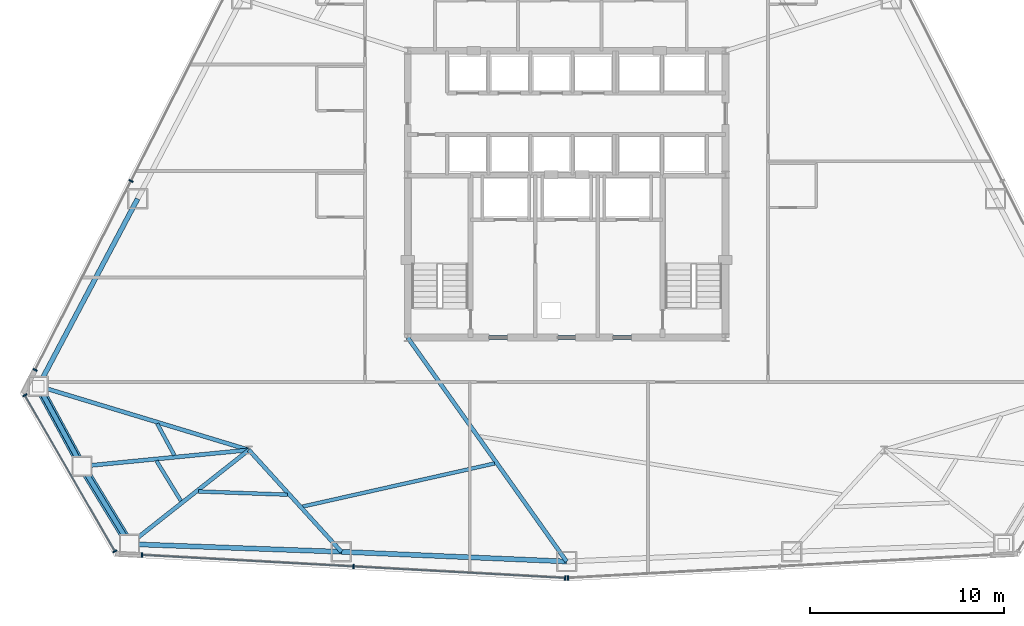
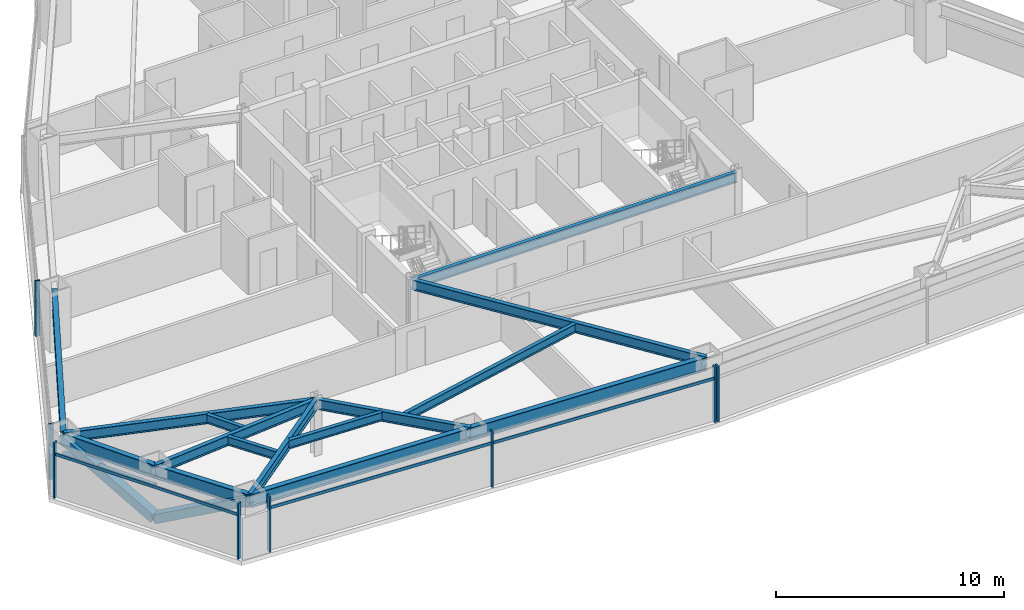
# One storey, part 4 of 12: 15 beams, 13 members, 4 elements without a shape of their own.
"""IFC4 building model written with IfcOpenShell, lengths in metres."""

from ifc_helpers import new_model, si_unit, direction, frame, origin, origin_2d, place, context, subcontext, project, spatial, rectangle, hollow_rectangle, hollow_circle, i_section, extrude, source, transform, mapped, material, layer, layer_set, material_profile, profile_set, type_object, type_shapes, element, aggregate, save


model = new_model("IFC4")

# Units and contexts
model_context = context("Model", 3, precision=1e-05, world=origin(), true_north=direction((0.0, 1.0)))
body_context = subcontext(model_context, "Body", "Model", "MODEL_VIEW")
ifc_project = project(units=[si_unit("LENGTHUNIT", "METRE"), si_unit("AREAUNIT", "SQUARE_METRE"), si_unit("VOLUMEUNIT", "CUBIC_METRE"), si_unit("PLANEANGLEUNIT", "RADIAN"), si_unit("MASSUNIT", "GRAM", prefix="KILO")], contexts=[model_context])

# Site, building, storey
site_placement = place(None, origin())
site = spatial("IfcSite", under=ifc_project, at=site_placement, CompositionType="ELEMENT")
building_placement = place(site_placement, origin())
building = spatial("IfcBuilding", under=site, at=building_placement, Name="Varakhsha Concourse Tower", CompositionType="ELEMENT")
storey_placement = place(building_placement, frame((0.0, 0.0, 76.60009765625)))
storey = spatial("IfcBuildingStorey", under=building, at=storey_placement, Name="L21", CompositionType="ELEMENT", Elevation=76.60009765625)

# Beams
ifc_material_1 = material(Name="Structural Steel ASTM A992 Grade 50", Category="steel")
ifc_material_profile_1 = material_profile(ifc_material_1, i_section(OverallWidth=0.19091796875, OverallDepth=0.45703125, WebThickness=0.009033203125, FlangeThickness=0.013916015625, at=origin_2d()), Name="W18X50")
ifc_profile_set_1 = profile_set([ifc_material_profile_1], Name="Structural Steel ASTM A992 Grade 50")
beam_type_1 = type_object("IfcBeamType", Name="BM-JST-W18X50", PredefinedType="JOIST", material=ifc_profile_set_1)
beam_1_placement = place(storey_placement, frame((18.872314453125, 11.953369140625, 2.741455078125), z_axis=(0.47804852113, -0.8783334284, 0.0), x_axis=(0.8783334284, 0.47804852113, 0.0)))
element("IfcBeam", 1, at=beam_1_placement, inside=storey, type_object=beam_type_1, Name="BM-TJST-L21-07", PredefinedType="JOIST", context=body_context, shape_type="SweptSolid", body=[
    extrude(i_section(OverallWidth=0.19091796875, OverallDepth=0.45703125, WebThickness=0.009033203125, FlangeThickness=0.013916015625, at=origin_2d()), origin(), (0.0, 0.0, 1.0), 1.852294921875),
])
beam_2_placement = place(storey_placement, frame((18.834228515625, 10.03515625, 2.741455078125), z_axis=(0.521666519138, -0.853149484446, 0.0), x_axis=(0.853149484446, 0.521666519138, 0.0)))
element("IfcBeam", 2, at=beam_2_placement, inside=storey, type_object=beam_type_1, Name="BM-TJST-L21-08", PredefinedType="JOIST", context=body_context, shape_type="SweptSolid", body=[
    extrude(i_section(OverallWidth=0.19091796875, OverallDepth=0.45703125, WebThickness=0.009033203125, FlangeThickness=0.013916015625, at=origin_2d()), origin(), (0.0, 0.0, 1.0), 2.417236328125),
])
beam_3_placement = place(storey_placement, frame((21.001220703125, 8.4580078125, 2.741455078125), z_axis=(0.999343002196, -0.036243122972, 0.0), x_axis=(0.036243122972, 0.999343002196, 0.0)))
element("IfcBeam", 3, at=beam_3_placement, inside=storey, type_object=beam_type_1, Name="BM-TJST-L21-09", PredefinedType="JOIST", context=body_context, shape_type="SweptSolid", body=[
    extrude(i_section(OverallWidth=0.19091796875, OverallDepth=0.45703125, WebThickness=0.009033203125, FlangeThickness=0.013916015625, at=origin_2d()), origin(), (0.0, 0.0, 1.0), 4.593994140625),
])
beam_4_placement = place(storey_placement, frame((26.383056640625, 7.68115234375, 2.741455078125), z_axis=(0.97570922124, 0.219069659211, 0.0), x_axis=(-0.219069659211, 0.97570922124, 0.0)))
element("IfcBeam", 4, at=beam_4_placement, inside=storey, type_object=beam_type_1, Name="BM-TJST-L21-10", PredefinedType="JOIST", context=body_context, shape_type="SweptSolid", body=[
    extrude(i_section(OverallWidth=0.19091796875, OverallDepth=0.45703125, WebThickness=0.009033203125, FlangeThickness=0.013916015625, at=origin_2d()), origin(), (0.0, 0.0, 1.0), 10.148193359375),
])
ifc_material_profile_2 = material_profile(ifc_material_1, i_section(OverallWidth=0.2109375, OverallDepth=0.5390625, WebThickness=0.011962890625, FlangeThickness=0.01904296875, at=origin_2d()), Name="W21X73")
ifc_profile_set_2 = profile_set([ifc_material_profile_2], Name="Structural Steel ASTM A992 Grade 50")
beam_type_2 = type_object("IfcBeamType", Name="BM-RAD-W21X73", PredefinedType="BEAM", material=ifc_profile_set_2)
beam_5_placement = place(storey_placement, frame((31.800048828125, 16.39990234375, 2.700439453125), z_axis=(1.0, 0.0, 0.0), x_axis=(0.0, 1.0, 0.0)))
element("IfcBeam", 5, at=beam_5_placement, inside=storey, type_object=beam_type_2, Name="BM-TCORE-L21-CS", PredefinedType="BEAM", context=body_context, shape_type="SweptSolid", body=[
    extrude(i_section(OverallWidth=0.2109375, OverallDepth=0.5390625, WebThickness=0.011962890625, FlangeThickness=0.01904296875, at=origin_2d()), origin(), (0.0, 0.0, 1.0), 16.39990234375),
])
beam_6_placement = place(storey_placement, frame((23.60009765625, 10.60009765625, 2.700439453125), z_axis=(-0.9569458756, 0.290266414131, 0.0), x_axis=(-0.290266414131, -0.9569458756, 0.0)))
element("IfcBeam", 6, at=beam_6_placement, inside=storey, type_object=beam_type_2, Name="L21 Radial Floor Girder 07", PredefinedType="BEAM", context=body_context, shape_type="SweptSolid", body=[
    extrude(i_section(OverallWidth=0.2109375, OverallDepth=0.5390625, WebThickness=0.011962890625, FlangeThickness=0.01904296875, at=origin_2d()), origin(), (0.0, 0.0, 1.0), 11.35302734375),
])
beam_7_placement = place(storey_placement, frame((23.60009765625, 10.60009765625, 2.700439453125), z_axis=(-0.995263322747, -0.097215834071, 0.0), x_axis=(0.097215834071, -0.995263322747, 0.0)))
element("IfcBeam", 7, at=beam_7_placement, inside=storey, type_object=beam_type_2, Name="L21 Radial Floor Girder 08", PredefinedType="BEAM", context=body_context, shape_type="SweptSolid", body=[
    extrude(i_section(OverallWidth=0.2109375, OverallDepth=0.5390625, WebThickness=0.011962890625, FlangeThickness=0.01904296875, at=origin_2d()), origin(), (0.0, 0.0, 1.0), 8.654052734375),
])
beam_8_placement = place(storey_placement, frame((23.60009765625, 10.60009765625, 2.700439453125), z_axis=(-0.78494889691, -0.619560512976, 0.0), x_axis=(0.619560512976, -0.78494889691, 0.0)))
element("IfcBeam", 8, at=beam_8_placement, inside=storey, type_object=beam_type_2, Name="L21 Radial Floor Girder 09", PredefinedType="BEAM", context=body_context, shape_type="SweptSolid", body=[
    extrude(i_section(OverallWidth=0.2109375, OverallDepth=0.5390625, WebThickness=0.011962890625, FlangeThickness=0.01904296875, at=origin_2d()), origin(), (0.0, 0.0, 1.0), 7.8427734375),
])
beam_9_placement = place(storey_placement, frame((23.60009765625, 10.60009765625, 2.700439453125), z_axis=(0.672691612759, -0.739922964993, 0.0), x_axis=(0.739922964993, 0.672691612759, 0.0)))
element("IfcBeam", 9, at=beam_9_placement, inside=storey, type_object=beam_type_2, Name="L21 Radial Floor Girder 10", PredefinedType="BEAM", context=body_context, shape_type="SweptSolid", body=[
    extrude(i_section(OverallWidth=0.2109375, OverallDepth=0.5390625, WebThickness=0.011962890625, FlangeThickness=0.01904296875, at=origin_2d()), origin(), (0.0, 0.0, 1.0), 7.10302734375),
])
beam_10_placement = place(storey_placement, frame((31.800048828125, 16.39990234375, 2.700439453125), z_axis=(0.578691190161, -0.815546753062, 0.0), x_axis=(0.815546753062, 0.578691190161, 0.0)))
element("IfcBeam", 10, at=beam_10_placement, inside=storey, type_object=beam_type_2, Name="L21 Radial Floor Girder 11", PredefinedType="BEAM", context=body_context, shape_type="SweptSolid", body=[
    extrude(i_section(OverallWidth=0.2109375, OverallDepth=0.5390625, WebThickness=0.011962890625, FlangeThickness=0.01904296875, at=origin_2d()), origin(), (0.0, 0.0, 1.0), 14.169921875),
])
ifc_material_profile_3 = material_profile(ifc_material_1, i_section(OverallWidth=0.25390625, OverallDepth=0.701904296875, WebThickness=0.014892578125, FlangeThickness=0.028076171875, at=origin_2d()), Name="W27X129")
ifc_profile_set_3 = profile_set([ifc_material_profile_3], Name="Structural Steel ASTM A992 Grade 50")
beam_type_3 = type_object("IfcBeamType", Name="BM-SPAN-W27X129", PredefinedType="SPANDREL", material=ifc_profile_set_3)
beam_11_placement = place(storey_placement, frame((17.85986328125, 23.562744140625, 2.618896484375), z_axis=(-0.46832133516, -0.88355821938, 0.0), x_axis=(0.88355821938, -0.46832133516, 0.0)))
element("IfcBeam", 11, at=beam_11_placement, inside=storey, type_object=beam_type_3, Name="BM-SPAN-L21-06", PredefinedType="SPANDREL", context=body_context, shape_type="SweptSolid", body=[
    extrude(i_section(OverallWidth=0.25390625, OverallDepth=0.701904296875, WebThickness=0.014892578125, FlangeThickness=0.028076171875, at=origin_2d()), origin(), (0.0, 0.0, 1.0), 10.941162109375),
])
beam_12_placement = place(storey_placement, frame((12.73583984375, 13.8955078125, 2.618896484375), z_axis=(0.478005647914, -0.878356761551, 0.0), x_axis=(0.878356761551, 0.478005647914, 0.0)))
element("IfcBeam", 12, at=beam_12_placement, inside=storey, type_object=beam_type_3, Name="BM-SPAN-L21-07", PredefinedType="SPANDREL", context=body_context, shape_type="SweptSolid", body=[
    extrude(i_section(OverallWidth=0.25390625, OverallDepth=0.701904296875, WebThickness=0.014892578125, FlangeThickness=0.028076171875, at=origin_2d()), origin(), (0.0, 0.0, 1.0), 4.709716796875),
])
beam_13_placement = place(storey_placement, frame((14.987060546875, 9.7587890625, 2.618896484375), z_axis=(0.521674363238, -0.853144688046, 0.0), x_axis=(0.853144688046, 0.521674363238, 0.0)))
element("IfcBeam", 13, at=beam_13_placement, inside=storey, type_object=beam_type_3, Name="BM-SPAN-L21-08", PredefinedType="SPANDREL", context=body_context, shape_type="SweptSolid", body=[
    extrude(i_section(OverallWidth=0.25390625, OverallDepth=0.701904296875, WebThickness=0.014892578125, FlangeThickness=0.028076171875, at=origin_2d()), origin(), (0.0, 0.0, 1.0), 4.70947265625),
])
beam_14_placement = place(storey_placement, frame((17.44384765625, 5.740966796875, 2.618896484375), z_axis=(0.999343234849, -0.036236707379, 0.0), x_axis=(0.036236707379, 0.999343234849, 0.0)))
element("IfcBeam", 14, at=beam_14_placement, inside=storey, type_object=beam_type_3, Name="BM-SPAN-L21-09", PredefinedType="SPANDREL", context=body_context, shape_type="SweptSolid", body=[
    extrude(i_section(OverallWidth=0.25390625, OverallDepth=0.701904296875, WebThickness=0.014892578125, FlangeThickness=0.028076171875, at=origin_2d()), origin(), (0.0, 0.0, 1.0), 10.94140625),
])
beam_15_placement = place(storey_placement, frame((28.378173828125, 5.344482421875, 2.618896484375), z_axis=(0.999073109275, -0.043045584251, 0.0), x_axis=(0.043045584251, 0.999073109275, 0.0)))
element("IfcBeam", 15, at=beam_15_placement, inside=storey, type_object=beam_type_3, Name="BM-SPAN-L21-10", PredefinedType="SPANDREL", context=body_context, shape_type="SweptSolid", body=[
    extrude(i_section(OverallWidth=0.25390625, OverallDepth=0.701904296875, WebThickness=0.014892578125, FlangeThickness=0.028076171875, at=origin_2d()), origin(), (0.0, 0.0, 1.0), 11.632568359375),
])

# Members
ifc_material_2 = material(Name="Structural Steel ASTM A500 Grade C", Category="steel")
ifc_material_profile_4 = material_profile(ifc_material_2, hollow_rectangle(XDim=0.449951171875, YDim=0.449951171875, WallThickness=0.01904296875, at=origin_2d()), Name="HSS 450x450x19")
ifc_profile_set_4 = profile_set([ifc_material_profile_4], Name="Structural Steel ASTM A500 Grade C")
member_type_1 = type_object("IfcMemberType", Name="MB-TUBE-HSS450", PredefinedType="BRACE", material=ifc_profile_set_4)
shared_shape_1 = source(origin(), body_context, "Body", "SweptSolid", [
    extrude(hollow_rectangle(XDim=0.449951171875, YDim=0.449951171875, WallThickness=0.01904296875, at=origin_2d()), origin(), (0.0, 0.0, 1.0), 5.35546875),
])
member_1_placement = place(storey_placement, frame((14.987060546875, 9.7587890625, 0.119873046875), z_axis=(0.458740401684, -0.750222676192, 0.476154575732), x_axis=(0.853144688046, 0.521674363238, 0.0)))
element("IfcMember", 16, at=member_1_placement, inside=storey, type_object=member_type_1, Name="L21 Wind-Corner Tube Brace B04", PredefinedType="BRACE", context=body_context, shape_type="MappedRepresentation", body=[
    mapped(shared_shape_1, transform((0.0, 0.0, 0.0), scale=1.0)),
])
shared_shape_2 = source(origin(), body_context, "Body", "SweptSolid", [
    extrude(hollow_rectangle(XDim=0.449951171875, YDim=0.449951171875, WallThickness=0.01904296875, at=origin_2d()), origin(), (0.0, 0.0, 1.0), 5.355712890625),
])
type_shapes(member_type_1, [shared_shape_1, shared_shape_2])
member_2_placement = place(storey_placement, frame((14.987060546875, 9.7587890625, 0.119873046875), z_axis=(-0.420343544228, 0.772400066523, 0.4761401496), x_axis=(-0.878356761551, -0.478005647914, 0.0)))
element("IfcMember", 17, at=member_2_placement, inside=storey, type_object=member_type_1, Name="L21 Wind-Corner Tube Brace B03", PredefinedType="BRACE", context=body_context, shape_type="MappedRepresentation", body=[
    mapped(shared_shape_2, transform((0.0, 0.0, 0.0), scale=1.0)),
])
ifc_material_profile_5 = material_profile(ifc_material_2, hollow_circle(Radius=0.136474609375, WallThickness=0.011962890625, at=origin_2d()), Name="CHS 273x12")
ifc_profile_set_5 = profile_set([ifc_material_profile_5], Name="Structural Steel ASTM A500 Grade C")
member_type_2 = type_object("IfcMemberType", Name="MB-WIND-CHS273", PredefinedType="COLLAR", material=ifc_profile_set_5)
shared_shape_3 = source(origin(), body_context, "Body", "SweptSolid", [
    extrude(hollow_circle(Radius=0.136474609375, WallThickness=0.011962890625, at=origin_2d()), origin(), (0.0, 0.0, 1.0), 4.709716796875),
])
type_shapes(member_type_2, [shared_shape_3])
member_3_placement = place(storey_placement, frame((12.73583984375, 13.8955078125, 1.7998046875), z_axis=(0.478005647914, -0.878356761551, 0.0), x_axis=(0.878356761551, 0.478005647914, 0.0)))
element("IfcMember", 18, at=member_3_placement, inside=storey, type_object=member_type_2, Name="L21 Wind-Corner Collar Tie 2", PredefinedType="COLLAR", context=body_context, shape_type="MappedRepresentation", body=[
    mapped(shared_shape_3, transform((0.0, 0.0, 0.0), scale=1.0)),
])

# Curtain wall, member
ifc_material_3 = material(Name="Anodised Bronze Architectural Aluminium AA 6063-T6", Category="aluminium")
ifc_layer = layer(ifc_material_3, 0.199951171875, Name="CW-SYS-03")
ifc_layer_set = layer_set([ifc_layer], Name="Anodised Bronze Architectural Aluminium AA 6063-T6")
curtain_wall_type = type_object("IfcCurtainWallType", Name="CW-SYS-03", PredefinedType="NOTDEFINED", material=ifc_layer_set)
curtain_wall_1_placement = place(storey_placement, origin())
curtain_wall_1 = element("IfcCurtainWall", 19, at=curtain_wall_1_placement, inside=storey, type_object=curtain_wall_type, Name="L21 Crystal Curtain Wall F5", PredefinedType="NOTDEFINED")
ifc_material_profile_6 = material_profile(ifc_material_3, rectangle(XDim=0.06494140625, YDim=0.159912109375, at=origin_2d()), Name="CWT-160X65")
ifc_profile_set_6 = profile_set([ifc_material_profile_6], Name="Anodised Bronze Architectural Aluminium AA 6063-T6")
member_type_3 = type_object("IfcMemberType", Name="CWT-160X65", PredefinedType="USERDEFINED", material=ifc_profile_set_6)
shared_shape_4 = source(origin(), body_context, "Body", "SweptSolid", [
    extrude(rectangle(XDim=0.06494140625, YDim=0.159912109375, at=origin_2d()), origin(), (0.0, 0.0, 1.0), 21.87353515625),
])
member_4_placement = place(storey_placement, frame((39.9287109375, 3.995849609375, 2.31982421875), z_axis=(-0.998527064655, 0.054255885865, 0.0), x_axis=(-0.054255885865, -0.998527064655, 0.0)))
member_4 = element("IfcMember", 20, at=member_4_placement, type_object=member_type_3, Name="CW-L21-F5 Transom 01", ObjectType="TRANSOM", PredefinedType="USERDEFINED", context=body_context, shape_type="MappedRepresentation", body=[
    mapped(shared_shape_4, transform((0.0, 0.0, 0.0), scale=1.0)),
])

curtain_wall_2_placement = place(storey_placement, origin())
curtain_wall_2 = element("IfcCurtainWall", 21, at=curtain_wall_2_placement, inside=storey, type_object=curtain_wall_type, Name="L21 Chamfer Curtain Wall F4", PredefinedType="NOTDEFINED")
shared_shape_5 = source(origin(), body_context, "Body", "SweptSolid", [
    extrude(rectangle(XDim=0.06494140625, YDim=0.159912109375, at=origin_2d()), origin(), (0.0, 0.0, 1.0), 9.302734375),
])
type_shapes(member_type_3, [shared_shape_4, shared_shape_5])
member_5_placement = place(storey_placement, frame((16.689208984375, 5.37060546875, 2.31982421875), z_axis=(-0.500000363486, 0.866025193926, 0.0), x_axis=(-0.866025193926, -0.500000363486, 0.0)))
member_5 = element("IfcMember", 22, at=member_5_placement, type_object=member_type_3, Name="CW-L21-F4 Transom 01", ObjectType="TRANSOM", PredefinedType="USERDEFINED", context=body_context, shape_type="MappedRepresentation", body=[
    mapped(shared_shape_5, transform((0.0, 0.0, 0.0), scale=1.0)),
])

# Curtain wall, members
curtain_wall_3_placement = place(storey_placement, origin())
curtain_wall_3 = element("IfcCurtainWall", 23, at=curtain_wall_3_placement, inside=storey, type_object=curtain_wall_type, Name="L21 Crystal Curtain Wall F3", PredefinedType="NOTDEFINED")
ifc_material_profile_7 = material_profile(ifc_material_3, rectangle(XDim=0.074951171875, YDim=0.219970703125, at=origin_2d()), Name="CWM-220X75")
ifc_profile_set_7 = profile_set([ifc_material_profile_7], Name="Anodised Bronze Architectural Aluminium AA 6063-T6")
member_type_4 = type_object("IfcMemberType", Name="CWM-220X75", PredefinedType="MULLION", material=ifc_profile_set_7)
shared_shape_6 = source(origin(), body_context, "Body", "SweptSolid", [
    extrude(rectangle(XDim=0.074951171875, YDim=0.219970703125, at=origin_2d()), origin(), (0.0, 0.0, 1.0), 2.969970703125),
])
type_shapes(member_type_4, [shared_shape_6])
member_6_placement = place(storey_placement, frame((12.57421875, 14.731689453125, 0.0), z_axis=(0.0, 0.0, 1.0), x_axis=(0.45227438453, 0.891878848891, 0.0)))
member_6 = element("IfcMember", 24, at=member_6_placement, type_object=member_type_4, Name="CW-L21-F3 Mullion 00", PredefinedType="MULLION", context=body_context, shape_type="MappedRepresentation", body=[
    mapped(shared_shape_6, transform((0.0, 0.0, 0.0), scale=1.0)),
])
member_7_placement = place(storey_placement, frame((17.5205078125, 24.486083984375, 0.0), z_axis=(0.0, 0.0, 1.0), x_axis=(0.45227438453, 0.891878848891, 0.0)))
member_7 = element("IfcMember", 25, at=member_7_placement, type_object=member_type_4, Name="CW-L21-F3 Mullion 01", PredefinedType="MULLION", context=body_context, shape_type="MappedRepresentation", body=[
    mapped(shared_shape_6, transform((0.0, 0.0, 0.0), scale=1.0)),
])
aggregate(curtain_wall_3, [member_6, member_7])

# Member
member_8_placement = place(storey_placement, frame((16.689208984375, 5.37060546875, 0.0), z_axis=(0.0, 0.0, 1.0), x_axis=(-0.49999395399, 0.866028894422, 0.0)))
member_8 = element("IfcMember", 26, at=member_8_placement, type_object=member_type_4, Name="CW-L21-F4 Mullion 00", PredefinedType="MULLION", context=body_context, shape_type="MappedRepresentation", body=[
    mapped(shared_shape_6, transform((0.0, 0.0, 0.0), scale=1.0)),
])

member_9_placement = place(storey_placement, frame((12.037841796875, 13.427001953125, 0.0), z_axis=(0.0, 0.0, 1.0), x_axis=(-0.49999395399, 0.866028894422, 0.0)))
member_9 = element("IfcMember", 27, at=member_9_placement, type_object=member_type_4, Name="CW-L21-F4 Mullion 01", PredefinedType="MULLION", context=body_context, shape_type="MappedRepresentation", body=[
    mapped(shared_shape_6, transform((0.0, 0.0, 0.0), scale=1.0)),
])

aggregate(curtain_wall_2, [member_8, member_9, member_5])

member_10_placement = place(storey_placement, frame((39.9287109375, 3.995849609375, 0.0), z_axis=(0.0, 0.0, 1.0), x_axis=(-0.998527027199, 0.054256575203, 0.0)))
member_10 = element("IfcMember", 28, at=member_10_placement, type_object=member_type_4, Name="CW-L21-F5 Mullion 00", PredefinedType="MULLION", context=body_context, shape_type="MappedRepresentation", body=[
    mapped(shared_shape_6, transform((0.0, 0.0, 0.0), scale=1.0)),
])

member_11_placement = place(storey_placement, frame((29.008056640625, 4.58935546875, 0.0), z_axis=(0.0, 0.0, 1.0), x_axis=(-0.998527027199, 0.054256575203, 0.0)))
member_11 = element("IfcMember", 29, at=member_11_placement, type_object=member_type_4, Name="CW-L21-F5 Mullion 01", PredefinedType="MULLION", context=body_context, shape_type="MappedRepresentation", body=[
    mapped(shared_shape_6, transform((0.0, 0.0, 0.0), scale=1.0)),
])

member_12_placement = place(storey_placement, frame((18.08740234375, 5.1826171875, 0.0), z_axis=(0.0, 0.0, 1.0), x_axis=(-0.998527027199, 0.054256575203, 0.0)))
member_12 = element("IfcMember", 30, at=member_12_placement, type_object=member_type_4, Name="CW-L21-F5 Mullion 02", PredefinedType="MULLION", context=body_context, shape_type="MappedRepresentation", body=[
    mapped(shared_shape_6, transform((0.0, 0.0, 0.0), scale=1.0)),
])

aggregate(curtain_wall_1, [member_10, member_11, member_12, member_4])

# Curtain wall, member
curtain_wall_4_placement = place(storey_placement, origin())
curtain_wall_4 = element("IfcCurtainWall", 31, at=curtain_wall_4_placement, inside=storey, type_object=curtain_wall_type, Name="L21 Crystal Curtain Wall F6", PredefinedType="NOTDEFINED")
member_13_placement = place(storey_placement, frame((40.0712890625, 3.995849609375, 0.0), z_axis=(0.0, 0.0, 1.0), x_axis=(-0.998527027199, -0.054256575203, 0.0)))
member_13 = element("IfcMember", 32, at=member_13_placement, type_object=member_type_4, Name="CW-L21-F6 Mullion 02", PredefinedType="MULLION", context=body_context, shape_type="MappedRepresentation", body=[
    mapped(shared_shape_6, transform((0.0, 0.0, 0.0), scale=1.0)),
])
aggregate(curtain_wall_4, [member_13])

save(model, "model.ifc")
